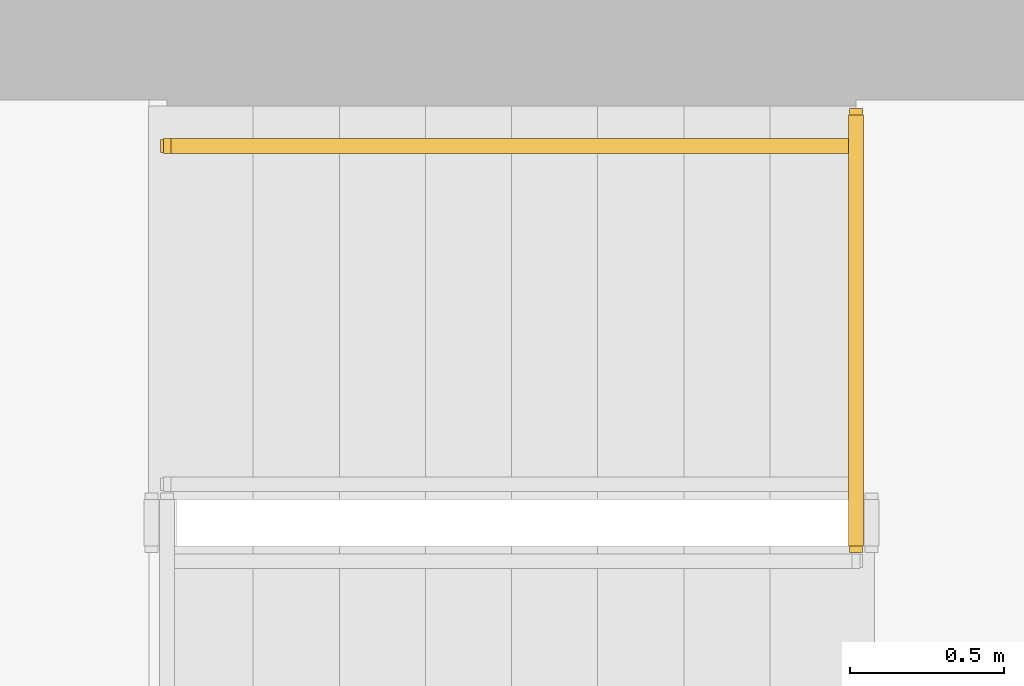
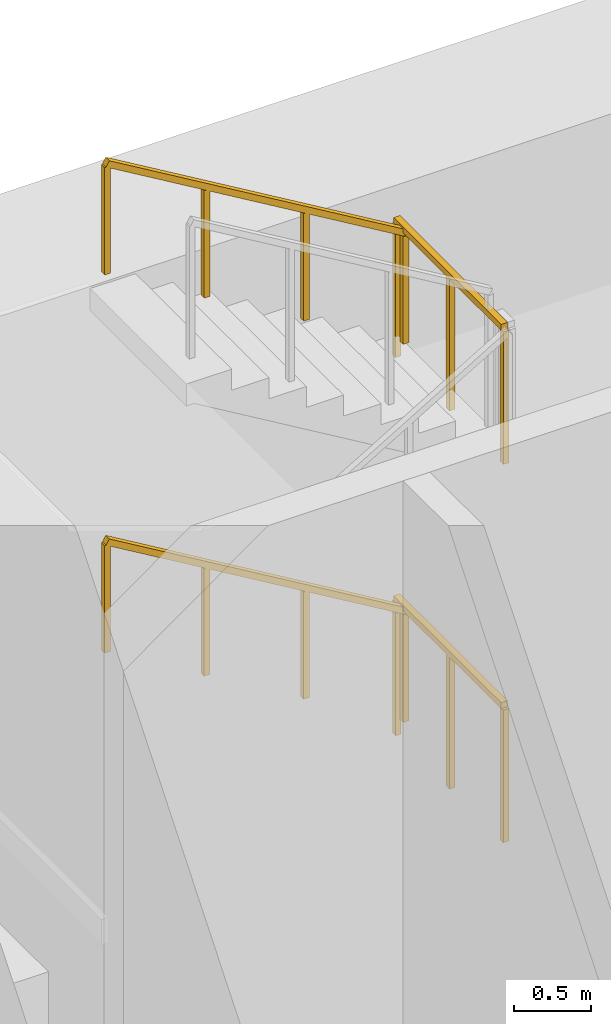
# One storey, part 17 of 19: 4 railings.
"""IFC4 building model written with IfcOpenShell, lengths in metres."""

from ifc_helpers import new_model, si_unit, direction, frame, origin, origin_2d, place, context, subcontext, project, spatial, rectangle, extrude, material, type_object, element, save


model = new_model("IFC4")

# Units and contexts
model_context = context("Model", 3, precision=1e-05, world=origin(), true_north=direction((0.0, 1.0)))
body_context = subcontext(model_context, "Body", "Model", "MODEL_VIEW")
ifc_project = project(units=[si_unit("LENGTHUNIT", "METRE"), si_unit("AREAUNIT", "SQUARE_METRE"), si_unit("VOLUMEUNIT", "CUBIC_METRE"), si_unit("PLANEANGLEUNIT", "RADIAN"), si_unit("MASSUNIT", "GRAM", prefix="KILO")], contexts=[model_context])

# Site, building, storey
site_placement = place(None, origin())
site = spatial("IfcSite", under=ifc_project, at=site_placement, CompositionType="ELEMENT")
building_placement = place(site_placement, origin())
building = spatial("IfcBuilding", under=site, at=building_placement, Name="Sennacour Bend Tower", CompositionType="ELEMENT")
storey_placement = place(building_placement, frame((0.0, 0.0, 77.0)))
storey = spatial("IfcBuildingStorey", under=building, at=storey_placement, Name="L17", CompositionType="ELEMENT", Elevation=77.0)

# Railings
ifc_material = material(Name="Stainless steel", Category="steel")
railing_type_1 = type_object("IfcRailingType", Name="RL-GUARD-1100", PredefinedType="GUARDRAIL", material=ifc_material)
for number, where, name in (
    (1, (58.93994140625, 19.89990234375, 1.5), "L17 SA2 landing edge guard 28"),
    (2, (58.93994140625, 19.89990234375, 4.5), "L17 SA2 landing edge guard 30"),
):
    element("IfcRailing", number, at=place(storey_placement, frame(where)), inside=storey, type_object=railing_type_1, Name=name, PredefinedType="GUARDRAIL", context=body_context, shape_type="SweptSolid", body=[
        extrude(rectangle(XDim=0.048095703125, YDim=0.048095703125, at=origin_2d()), frame((0.0, 0.0, 1.076171875), z_axis=(0.0, 1.0, 0.0), x_axis=(-1.0, 0.0, 0.0)), (0.0, 0.0, 1.0), 1.400146484375),
        extrude(rectangle(XDim=0.0419921875, YDim=0.0419921875, at=origin_2d()), origin(), (0.0, 0.0, 1.0), 1.052001953125),
        extrude(rectangle(XDim=0.0419921875, YDim=0.0419921875, at=origin_2d()), frame((0.0, 0.7001953125, 0.0)), (0.0, 0.0, 1.0), 1.052001953125),
        extrude(rectangle(XDim=0.0419921875, YDim=0.0419921875, at=origin_2d()), frame((0.0, 1.400146484375, 0.0)), (0.0, 0.0, 1.0), 1.052001953125),
    ])
railing_type_2 = type_object("IfcRailingType", Name="RL-HANDRAIL-900", PredefinedType="HANDRAIL", material=ifc_material)
for number, where, name in (
    (3, (58.93994140625, 21.199951171875, 1.666748046875), "L17 SA2 stair handrail 2"),
    (4, (58.93994140625, 21.199951171875, 4.666748046875), "L17 SA2 stair handrail 4"),
):
    element("IfcRailing", number, at=place(storey_placement, frame(where)), inside=storey, type_object=railing_type_2, Name=name, PredefinedType="HANDRAIL", context=body_context, shape_type="SweptSolid", body=[
        extrude(rectangle(XDim=0.048095703125, YDim=0.048095703125, at=origin_2d()), frame((0.0, 0.0, 0.8759765625), z_axis=(-0.859305625298, 0.0, 0.511462454469), x_axis=(0.0, -1.0, 0.0)), (0.0, 0.0, 1.0), 2.606689453125),
        extrude(rectangle(XDim=0.0419921875, YDim=0.0419921875, at=origin_2d()), origin(), (0.0, 0.0, 1.0), 0.851806640625),
        extrude(rectangle(XDim=0.0419921875, YDim=0.0419921875, at=origin_2d()), frame((-0.74658203125, 0.0, 0.4443359375)), (0.0, 0.0, 1.0), 0.851806640625),
        extrude(rectangle(XDim=0.0419921875, YDim=0.0419921875, at=origin_2d()), frame((-1.493408203125, 0.0, 0.888916015625)), (0.0, 0.0, 1.0), 0.851806640625),
        extrude(rectangle(XDim=0.0419921875, YDim=0.0419921875, at=origin_2d()), frame((-2.239990234375, 0.0, 1.333251953125)), (0.0, 0.0, 1.0), 0.851806640625),
    ])

save(model, "model.ifc")
